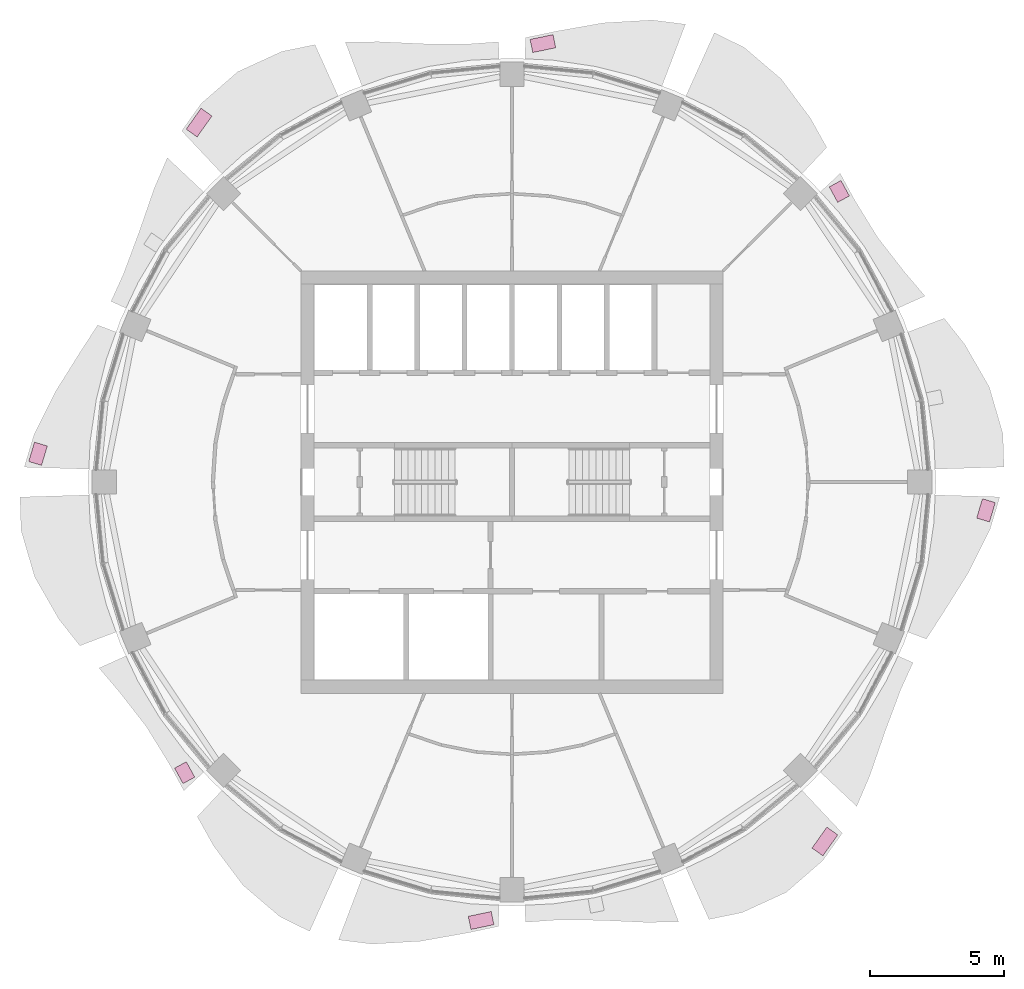
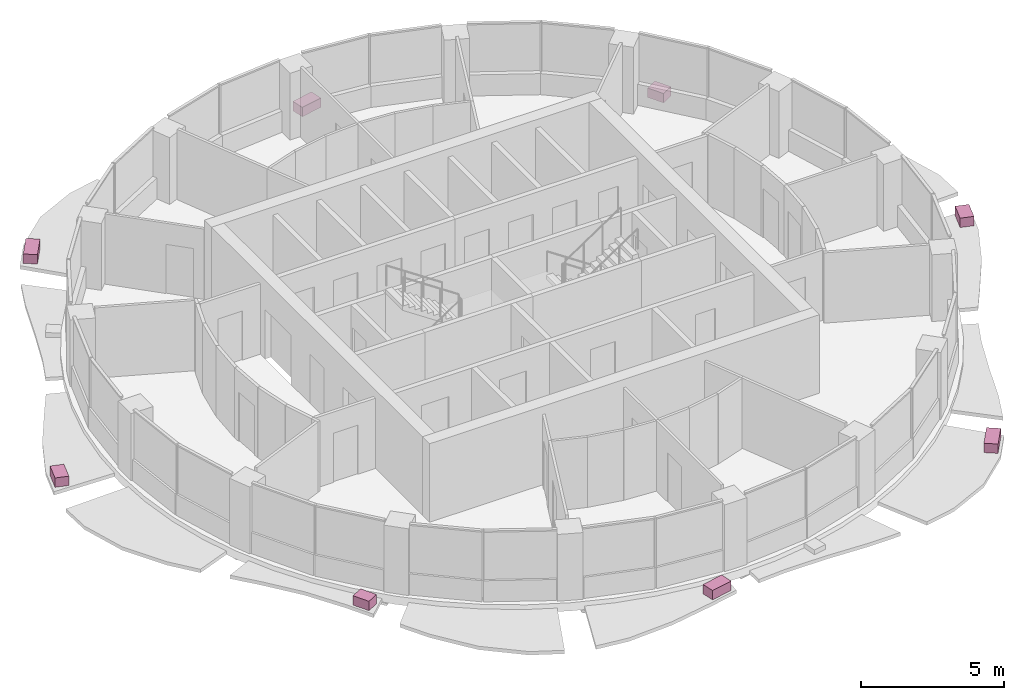
# One storey, part 14 of 14: 8 furniture elements.
"""IFC4 building model written with IfcOpenShell, lengths in metres."""

from ifc_helpers import new_model, si_unit, direction, frame, origin, origin_2d, place, context, subcontext, project, spatial, rectangle, extrude, material, type_object, element, save


model = new_model("IFC4")

# Units and contexts
model_context = context("Model", 3, precision=1e-05, world=origin(), true_north=direction((0.0, 1.0)))
body_context = subcontext(model_context, "Body", "Model", "MODEL_VIEW")
ifc_project = project(units=[si_unit("LENGTHUNIT", "METRE"), si_unit("AREAUNIT", "SQUARE_METRE"), si_unit("VOLUMEUNIT", "CUBIC_METRE"), si_unit("PLANEANGLEUNIT", "RADIAN"), si_unit("MASSUNIT", "GRAM", prefix="KILO")], contexts=[model_context])

# Site, building, storey
site_placement = place(None, origin())
site = spatial("IfcSite", under=ifc_project, at=site_placement, CompositionType="ELEMENT")
building_placement = place(site_placement, origin())
building = spatial("IfcBuilding", under=site, at=building_placement, Name="Polderwave Tower", CompositionType="ELEMENT")
storey_placement = place(building_placement, frame((0.0, 0.0, 221.14990234375)))
storey = spatial("IfcBuildingStorey", under=building, at=storey_placement, Name="L60", CompositionType="ELEMENT", Elevation=221.14990234375)

# Furniture
ifc_material = material(Name="Terracotta", Category="masonry")
furniture_type = type_object("IfcFurnitureType", Name="Terracotta planting trough", AssemblyPlace="NOTDEFINED", PredefinedType="USERDEFINED", material=ifc_material)
furniture_1_placement = place(storey_placement, frame((12.201904296875, 10.83349609375, -0.199951171875), z_axis=(0.0, 0.0, 1.0), x_axis=(-0.478133978926, 0.878286911092, 0.0)))
element("IfcFurniture", 1, at=furniture_1_placement, inside=storey, type_object=furniture_type, Name="Planting trough L60 2", ObjectType="PLANTER", PredefinedType="USERDEFINED", context=body_context, shape_type="SweptSolid", body=[
    extrude(rectangle(XDim=0.65625, YDim=0.5, at=origin_2d()), origin(), (0.0, 0.0, 1.0), 0.39990234375),
])
furniture_2_placement = place(storey_placement, frame((1.152099609375, 16.344970703125, -0.199951171875), z_axis=(0.0, 0.0, 1.0), x_axis=(-0.9787837895, -0.204895811114, 0.0)))
element("IfcFurniture", 2, at=furniture_2_placement, inside=storey, type_object=furniture_type, Name="Planting trough L60 4", ObjectType="PLANTER", PredefinedType="USERDEFINED", context=body_context, shape_type="SweptSolid", body=[
    extrude(rectangle(XDim=0.875, YDim=0.5, at=origin_2d()), origin(), (0.0, 0.0, 1.0), 0.39990234375),
])
furniture_3_placement = place(storey_placement, frame((-11.664306640625, 13.399169921875, -0.199951171875), z_axis=(0.0, 0.0, 1.0), x_axis=(-0.580324933842, -0.814385026361, 0.0)))
element("IfcFurniture", 3, at=furniture_3_placement, inside=storey, type_object=furniture_type, Name="Planting trough L60 6", ObjectType="PLANTER", PredefinedType="USERDEFINED", context=body_context, shape_type="SweptSolid", body=[
    extrude(rectangle(XDim=0.958984375, YDim=0.5, at=origin_2d()), origin(), (0.0, 0.0, 1.0), 0.39990234375),
])
furniture_4_placement = place(storey_placement, frame((-17.6689453125, 1.0546875, -0.199951171875), z_axis=(0.0, 0.0, 1.0), x_axis=(-0.286828870051, -0.957981836626, 0.0)))
element("IfcFurniture", 4, at=furniture_4_placement, inside=storey, type_object=furniture_type, Name="Planting trough L60 8", ObjectType="PLANTER", PredefinedType="USERDEFINED", context=body_context, shape_type="SweptSolid", body=[
    extrude(rectangle(XDim=0.75341796875, YDim=0.5, at=origin_2d()), origin(), (0.0, 0.0, 1.0), 0.39990234375),
])
furniture_5_placement = place(storey_placement, frame((-12.201904296875, -10.83349609375, -0.199951171875), z_axis=(0.0, 0.0, 1.0), x_axis=(0.478133978926, -0.878286911092, 0.0)))
element("IfcFurniture", 5, at=furniture_5_placement, inside=storey, type_object=furniture_type, Name="Planting trough L60 10", ObjectType="PLANTER", PredefinedType="USERDEFINED", context=body_context, shape_type="SweptSolid", body=[
    extrude(rectangle(XDim=0.65625, YDim=0.5, at=origin_2d()), origin(), (0.0, 0.0, 1.0), 0.39990234375),
])
furniture_6_placement = place(storey_placement, frame((-1.152099609375, -16.344970703125, -0.199951171875), z_axis=(0.0, 0.0, 1.0), x_axis=(0.9787837895, 0.204895811114, 0.0)))
element("IfcFurniture", 6, at=furniture_6_placement, inside=storey, type_object=furniture_type, Name="Planting trough L60 12", ObjectType="PLANTER", PredefinedType="USERDEFINED", context=body_context, shape_type="SweptSolid", body=[
    extrude(rectangle(XDim=0.875, YDim=0.5, at=origin_2d()), origin(), (0.0, 0.0, 1.0), 0.39990234375),
])
furniture_7_placement = place(storey_placement, frame((11.664306640625, -13.399169921875, -0.199951171875), z_axis=(0.0, 0.0, 1.0), x_axis=(0.580324933842, 0.814385026361, 0.0)))
element("IfcFurniture", 7, at=furniture_7_placement, inside=storey, type_object=furniture_type, Name="Planting trough L60 14", ObjectType="PLANTER", PredefinedType="USERDEFINED", context=body_context, shape_type="SweptSolid", body=[
    extrude(rectangle(XDim=0.958984375, YDim=0.5, at=origin_2d()), origin(), (0.0, 0.0, 1.0), 0.39990234375),
])
furniture_8_placement = place(storey_placement, frame((17.6689453125, -1.0546875, -0.199951171875), z_axis=(0.0, 0.0, 1.0), x_axis=(0.286828870051, 0.957981836626, 0.0)))
element("IfcFurniture", 8, at=furniture_8_placement, inside=storey, type_object=furniture_type, Name="Planting trough L60 16", ObjectType="PLANTER", PredefinedType="USERDEFINED", context=body_context, shape_type="SweptSolid", body=[
    extrude(rectangle(XDim=0.75341796875, YDim=0.5, at=origin_2d()), origin(), (0.0, 0.0, 1.0), 0.39990234375),
])

save(model, "model.ifc")
